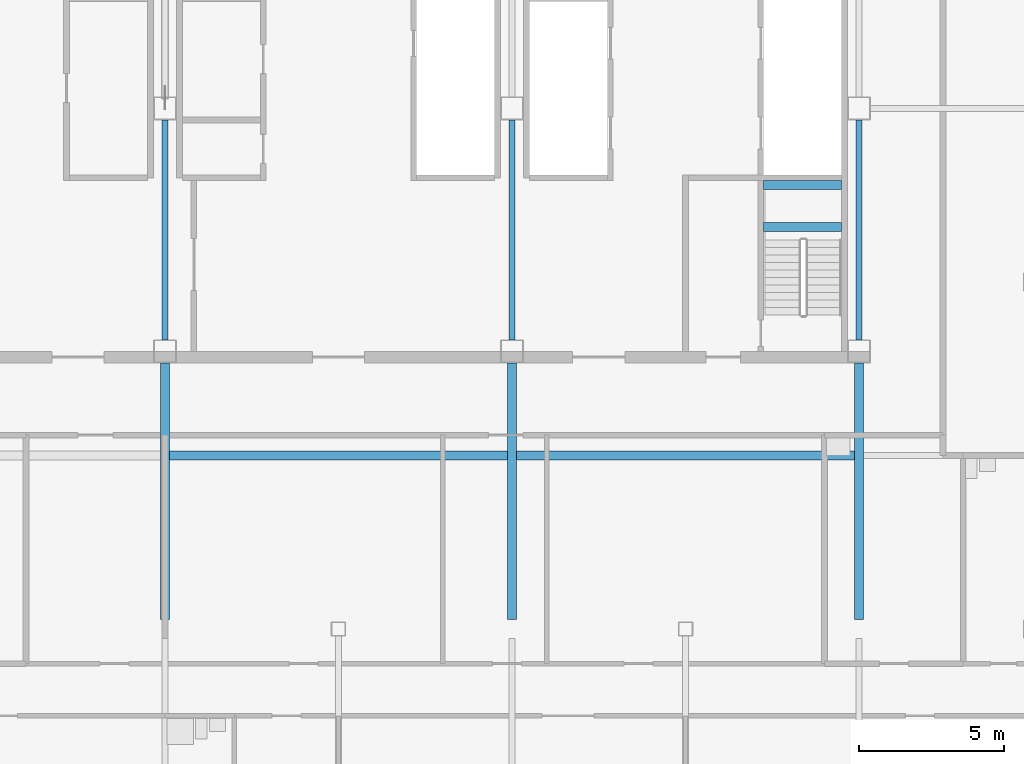
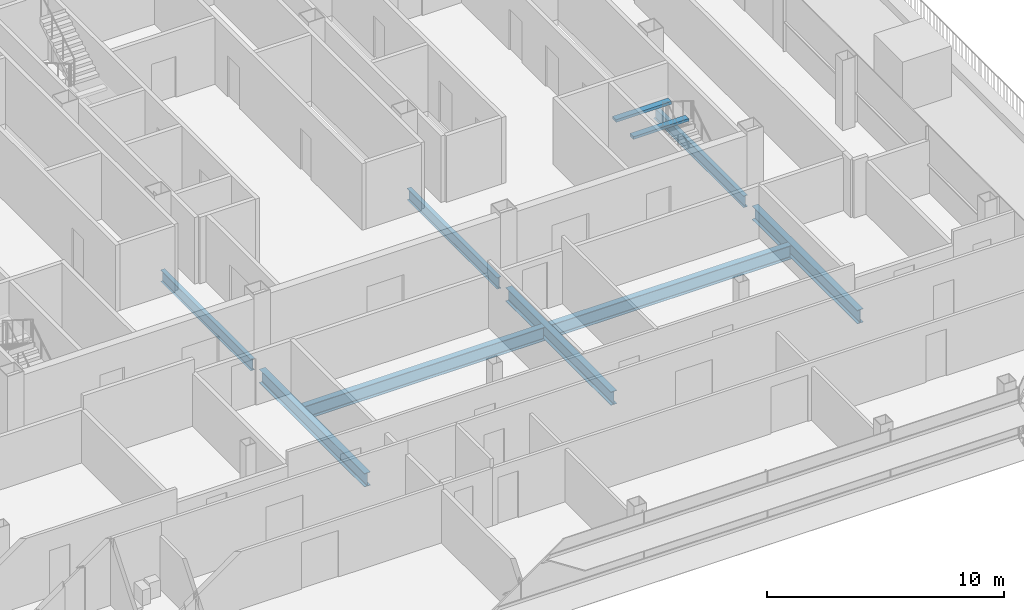
# One storey, part 10 of 28: 10 beams.
"""IFC4 building model written with IfcOpenShell, lengths in metres."""

from ifc_helpers import new_model, si_unit, direction, frame, origin, origin_2d, place, context, subcontext, project, spatial, rectangle, i_section, extrude, material, material_profile, profile_set, type_object, element, save


model = new_model("IFC4")

# Units and contexts
model_context = context("Model", 3, precision=1e-05, world=origin(), true_north=direction((0.0, 1.0)))
body_context = subcontext(model_context, "Body", "Model", "MODEL_VIEW")
ifc_project = project(units=[si_unit("LENGTHUNIT", "METRE"), si_unit("AREAUNIT", "SQUARE_METRE"), si_unit("VOLUMEUNIT", "CUBIC_METRE"), si_unit("PLANEANGLEUNIT", "RADIAN"), si_unit("MASSUNIT", "GRAM", prefix="KILO")], contexts=[model_context])

# Site, building, storey
site_placement = place(None, origin())
site = spatial("IfcSite", under=ifc_project, at=site_placement, CompositionType="ELEMENT")
building_placement = place(site_placement, origin())
building = spatial("IfcBuilding", under=site, at=building_placement, Name="Sorahane Residences", CompositionType="ELEMENT")
storey_placement = place(building_placement, frame((0.0, 0.0, 290.800048828125)))
storey = spatial("IfcBuildingStorey", under=building, at=storey_placement, Name="L68", CompositionType="ELEMENT", Elevation=290.800048828125)

# Beams
ifc_material_1 = material(Name="Concrete C40", Category="concrete")
ifc_material_profile_1 = material_profile(ifc_material_1, rectangle(XDim=0.300048828125, YDim=0.139892578125, at=origin_2d()), Name="300x140")
ifc_profile_set_1 = profile_set([ifc_material_profile_1], Name="Concrete C40")
beam_type_1 = type_object("IfcBeamType", Name="RC landing beam 300 x 140 Concrete C40", PredefinedType="BEAM", material=ifc_profile_set_1)
for number, where, z_axis, x_axis, name in (
    (1, (38.699951171875, 25.89990234375, 1.530029296875), (1.0, 0.0, 0.0), (0.0, 1.0, 0.0), "Landing beam"),
    (2, (38.699951171875, 27.35009765625, 1.530029296875), (1.0, 0.0, 0.0), (0.0, 1.0, 0.0), "Landing beam"),
):
    element("IfcBeam", number, at=place(storey_placement, frame(where, z_axis=z_axis, x_axis=x_axis)), inside=storey, type_object=beam_type_1, Name=name, PredefinedType="BEAM", context=body_context, shape_type="SweptSolid", body=[
        extrude(rectangle(XDim=0.300048828125, YDim=0.139892578125, at=origin_2d()), origin(), (0.0, 0.0, 1.0), 2.699951171875),
    ])
ifc_material_2 = material(Name="Steel Q355B", Category="steel")
ifc_material_profile_2 = material_profile(ifc_material_2, i_section(OverallWidth=0.199951171875, OverallDepth=0.60009765625, WebThickness=0.010986328125, FlangeThickness=0.01708984375, FilletRadius=0.02392578125, at=origin_2d()), Name="HN 600x200x11x17")
ifc_profile_set_2 = profile_set([ifc_material_profile_2], Name="Steel Q355B")
beam_type_2 = type_object("IfcBeamType", Name="Steel floor beam HN 600x200x11x17 Q355B", PredefinedType="BEAM", material=ifc_profile_set_2)
for number, where, z_axis, x_axis, name in (
    (3, (18.0, 22.0, -0.60009765625), (0.0, 1.0, 0.0), (-1.0, 0.0, 0.0), "Beam L68 028"),
    (4, (30.0, 22.0, -0.60009765625), (0.0, 1.0, 0.0), (-1.0, 0.0, 0.0), "Beam L68 038"),
    (5, (42.0, 22.0, -0.60009765625), (0.0, 1.0, 0.0), (-1.0, 0.0, 0.0), "Beam L68 048"),
):
    element("IfcBeam", number, at=place(storey_placement, frame(where, z_axis=z_axis, x_axis=x_axis)), inside=storey, type_object=beam_type_2, Name=name, PredefinedType="BEAM", context=body_context, shape_type="SweptSolid", body=[
        extrude(i_section(OverallWidth=0.199951171875, OverallDepth=0.60009765625, WebThickness=0.010986328125, FlangeThickness=0.01708984375, FilletRadius=0.02392578125, at=origin_2d()), origin(), (0.0, 0.0, 1.0), 7.60009765625),
    ])
ifc_material_3 = material(Name="Steel Q355B", Category="steel")
ifc_material_profile_3 = material_profile(ifc_material_3, i_section(OverallWidth=0.300048828125, OverallDepth=0.699951171875, WebThickness=0.012939453125, FlangeThickness=0.02392578125, FilletRadius=0.028076171875, at=origin_2d()), Name="HN 700x300x13x24")
ifc_profile_set_3 = profile_set([ifc_material_profile_3], Name="Steel Q355B")
beam_type_3 = type_object("IfcBeamType", Name="Steel floor beam HN 700x300x13x24 Q355B", PredefinedType="BEAM", material=ifc_profile_set_3)
for number, where, z_axis, x_axis, name in (
    (6, (18.0, 12.324951171875, -0.650146484375), (0.0, 1.0, 0.0), (-1.0, 0.0, 0.0), "Beam L68 027"),
    (7, (30.0, 12.324951171875, -0.650146484375), (0.0, 1.0, 0.0), (-1.0, 0.0, 0.0), "Beam L68 037"),
    (8, (42.0, 12.324951171875, -0.650146484375), (0.0, 1.0, 0.0), (-1.0, 0.0, 0.0), "Beam L68 047"),
):
    element("IfcBeam", number, at=place(storey_placement, frame(where, z_axis=z_axis, x_axis=x_axis)), inside=storey, type_object=beam_type_3, Name=name, PredefinedType="BEAM", context=body_context, shape_type="SweptSolid", body=[
        extrude(i_section(OverallWidth=0.300048828125, OverallDepth=0.699951171875, WebThickness=0.012939453125, FlangeThickness=0.02392578125, FilletRadius=0.028076171875, at=origin_2d()), origin(), (0.0, 0.0, 1.0), 8.875),
    ])
for number, where, z_axis, x_axis, name in (
    (9, (18.14990234375, 18.0, -0.650146484375), (1.0, 0.0, 0.0), (0.0, 1.0, 0.0), "Beam L68 063"),
    (10, (30.14990234375, 18.0, -0.650146484375), (1.0, 0.0, 0.0), (0.0, 1.0, 0.0), "Beam L68 064"),
):
    element("IfcBeam", number, at=place(storey_placement, frame(where, z_axis=z_axis, x_axis=x_axis)), inside=storey, type_object=beam_type_3, Name=name, PredefinedType="BEAM", context=body_context, shape_type="SweptSolid", body=[
        extrude(i_section(OverallWidth=0.300048828125, OverallDepth=0.699951171875, WebThickness=0.012939453125, FlangeThickness=0.02392578125, FilletRadius=0.028076171875, at=origin_2d()), origin(), (0.0, 0.0, 1.0), 11.7001953125),
    ])

save(model, "model.ifc")
